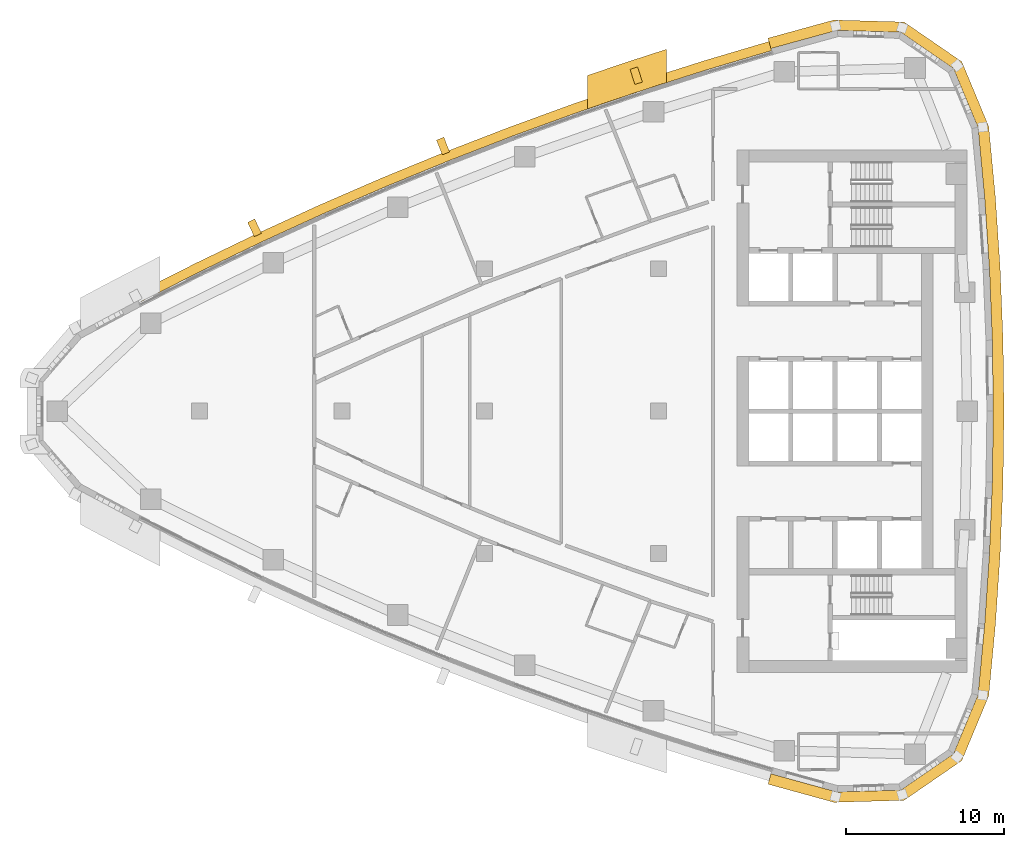
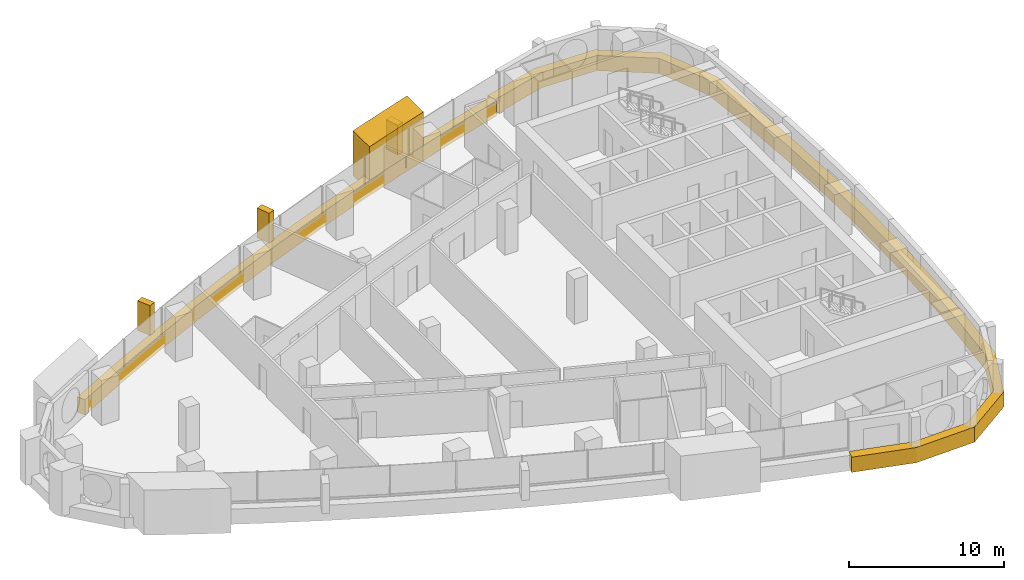
# One storey, part 16 of 17: 6 coverings.
"""IFC4 building model written with IfcOpenShell, lengths in metres."""

from ifc_helpers import new_model, si_unit, direction, frame, frame_2d, origin, place, context, subcontext, project, spatial, polyline, rectangle, outline, extrude, material, layer, layer_set, type_object, element, save


model = new_model("IFC4")

# Units and contexts
model_context = context("Model", 3, precision=1e-05, world=origin(), true_north=direction((0.0, 1.0)))
body_context = subcontext(model_context, "Body", "Model", "MODEL_VIEW")
ifc_project = project(units=[si_unit("LENGTHUNIT", "METRE"), si_unit("AREAUNIT", "SQUARE_METRE"), si_unit("VOLUMEUNIT", "CUBIC_METRE"), si_unit("PLANEANGLEUNIT", "RADIAN"), si_unit("MASSUNIT", "GRAM", prefix="KILO")], contexts=[model_context])

# Site, building, storey
site_placement = place(None, origin())
site = spatial("IfcSite", under=ifc_project, at=site_placement, CompositionType="ELEMENT")
building_placement = place(site_placement, origin())
building = spatial("IfcBuilding", under=site, at=building_placement, Name="Ostrand Prow Hotel Tower", CompositionType="ELEMENT")
storey_placement = place(building_placement, frame((0.0, 0.0, 182.60009765625)))
storey = spatial("IfcBuildingStorey", under=building, at=storey_placement, Name="L45", CompositionType="ELEMENT", Elevation=182.60009765625)

# Coverings
ifc_material_1 = material(Name="Bronze anodised aluminium cladding", Category="aluminium")
ifc_layer_1 = layer(ifc_material_1, 0.60009765625)
ifc_layer_set_1 = layer_set([ifc_layer_1], Name="Bronze anodised aluminium cladding")
covering_type_1 = type_object("IfcCoveringType", Name="Bronze spandrel band 1200x600", PredefinedType="CLADDING", material=ifc_layer_set_1)
covering_1_placement = place(storey_placement, frame((0.0, 0.0, -0.300048828125)))
element("IfcCovering", 1, at=covering_1_placement, inside=storey, type_object=covering_type_1, Name="Spandrel band N1", PredefinedType="CLADDING", context=body_context, shape_type="SweptSolid", body=[
    extrude(outline(polyline([(51.9736328125, 23.35009765625), (47.831787109375, 22.12060546875), (43.7158203125, 20.80810546875), (39.626708984375, 19.4130859375), (35.566650390625, 17.93603515625), (31.537353515625, 16.37744140625), (27.5400390625, 14.738037109375), (23.57666015625, 13.0185546875), (19.648681640625, 11.219482421875), (15.757568359375, 9.341796875), (11.9052734375, 7.38623046875), (12.18212890625, 6.85400390625), (16.023681640625, 8.80419921875), (19.90380859375, 10.676513671875), (23.821044921875, 12.470458984375), (27.773193359375, 14.185302734375), (31.759521484375, 15.820068359375), (35.777587890625, 17.374267578125), (39.826171875, 18.84716796875), (43.90380859375, 20.23828125), (48.00830078125, 21.547119140625), (52.138427734375, 22.773193359375), (51.9736328125, 23.35009765625)])), origin(), (0.0, 0.0, 1.0), 1.199951171875),
])
covering_2_placement = place(storey_placement, frame((0.0, 0.0, -0.300048828125)))
element("IfcCovering", 2, at=covering_2_placement, inside=storey, type_object=covering_type_1, Name="Spandrel band back 1", PredefinedType="CLADDING", context=body_context, shape_type="SweptSolid", body=[
    extrude(outline(polyline([(51.9130859375, -23.561767578125), (56.0830078125, -24.708740234375), (60.5087890625, -24.581787109375), (64.15625, -22.072021484375), (65.856201171875, -17.98388671875), (66.27783203125, -13.499267578125), (66.5791015625, -9.0048828125), (66.760009765625, -4.50390625), (66.8203125, 0.0), (66.760009765625, 4.50390625), (66.5791015625, 9.0048828125), (66.27783203125, 13.499267578125), (65.856201171875, 17.98388671875), (64.15625, 22.072021484375), (60.5087890625, 24.581787109375), (56.0830078125, 24.708740234375), (51.9130859375, 23.561767578125), (52.10009765625, 22.907958984375), (56.256591796875, 24.05126953125), (60.297607421875, 23.935302734375), (63.6279296875, 21.643798828125), (65.18017578125, 17.9111328125), (65.60009765625, 13.444580078125), (65.900146484375, 8.968505859375), (66.080078125, 4.48583984375), (66.140380859375, 0.0), (66.080078125, -4.48583984375), (65.900146484375, -8.968505859375), (65.60009765625, -13.444580078125), (65.18017578125, -17.9111328125), (63.6279296875, -21.643798828125), (60.297607421875, -23.935302734375), (56.256591796875, -24.05126953125), (52.10009765625, -22.907958984375), (51.9130859375, -23.561767578125)])), origin(), (0.0, 0.0, 1.0), 1.199951171875),
])
ifc_material_2 = material(Name="Limestone cladding", Category="masonry")
ifc_layer_2 = layer(ifc_material_2, 5.0)
ifc_layer_set_2 = layer_set([ifc_layer_2], Name="Limestone cladding")
covering_type_2 = type_object("IfcCoveringType", Name="Portal jamb pilaster limestone", PredefinedType="CLADDING", material=ifc_layer_set_2)
covering_3_placement = place(storey_placement, origin())
element("IfcCovering", 3, at=covering_3_placement, inside=storey, type_object=covering_type_2, Name="Portal jamb NB L45", PredefinedType="CLADDING", context=body_context, shape_type="SweptSolid", body=[
    extrude(outline(polyline([(40.5, 19.08349609375), (41.5, 19.429443359375), (42.5, 19.769775390625), (43.5, 20.104736328125), (44.5, 20.43408203125), (45.5, 20.75830078125), (45.5, 22.85791015625), (44.5, 22.537109375), (43.5, 22.211181640625), (42.5, 21.879638671875), (41.5, 21.542724609375), (40.5, 21.200439453125), (40.5, 19.08349609375)])), origin(), (0.0, 0.0, 1.0), 3.5498046875),
])
ifc_material_3 = material(Name="Limestone cladding", Category="masonry")
ifc_layer_3 = layer(ifc_material_3, 0.5)
ifc_layer_set_3 = layer_set([ifc_layer_3], Name="Limestone cladding")
covering_type_3 = type_object("IfcCoveringType", Name="Precast stone fin 500x900", PredefinedType="CLADDING", material=ifc_layer_set_3)
for number, where, z_axis, x_axis, name in (
    (4, (43.7470703125, 20.713134765625, 0.89990234375), (0.0, 0.0, 1.0), (-0.313443495886, 0.949606852801, 0.0), "Stone fin N 3"),
    (5, (31.57421875, 16.284423828125, 0.89990234375), (0.0, 0.0, 1.0), (-0.37012750131, 0.9289809647, 0.0), "Stone fin N 6"),
):
    element("IfcCovering", number, at=place(storey_placement, frame(where, z_axis=z_axis, x_axis=x_axis)), inside=storey, type_object=covering_type_3, Name=name, PredefinedType="CLADDING", context=body_context, shape_type="SweptSolid", body=[
        extrude(rectangle(XDim=1.0, YDim=0.5, at=frame_2d((0.5, 0.0))), origin(), (0.0, 0.0, 1.0), 2.35009765625),
    ])
covering_4_placement = place(storey_placement, frame((19.691162109375, 11.129150390625, 0.89990234375), z_axis=(0.0, 0.0, 1.0), x_axis=(-0.425597120581, 0.904912753227, 0.0)))
element("IfcCovering", 6, at=covering_4_placement, inside=storey, type_object=covering_type_3, Name="Stone fin N 9", PredefinedType="CLADDING", context=body_context, shape_type="SweptSolid", body=[
    extrude(rectangle(XDim=0.999755859375, YDim=0.5, at=frame_2d((0.5, 0.0))), origin(), (0.0, 0.0, 1.0), 2.35009765625),
])

save(model, "model.ifc")
